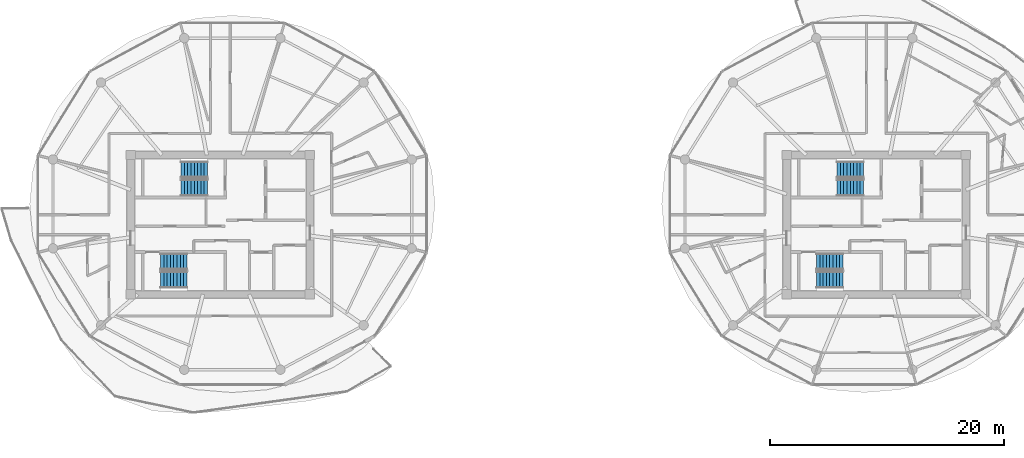
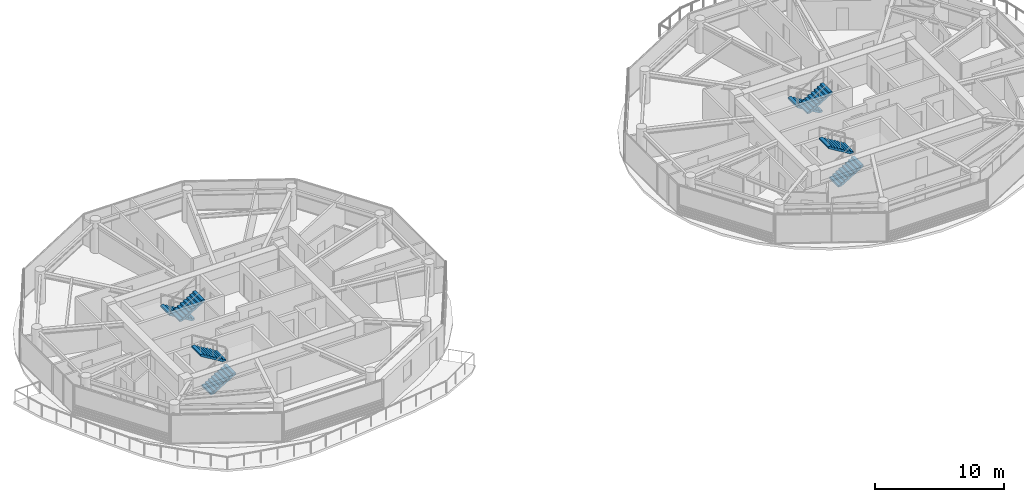
# One storey, part 17 of 23: 8 stair flights, 4 elements without a shape of their own.
"""IFC4 building model written with IfcOpenShell, lengths in metres."""

from ifc_helpers import new_model, si_unit, direction, frame, origin, place, context, subcontext, project, spatial, polyline, outline, extrude, material, type_object, element, aggregate, save


model = new_model("IFC4")

# Units and contexts
model_context = context("Model", 3, precision=1e-05, world=origin(), true_north=direction((0.0, 1.0)))
body_context = subcontext(model_context, "Body", "Model", "MODEL_VIEW")
ifc_project = project(units=[si_unit("LENGTHUNIT", "METRE"), si_unit("AREAUNIT", "SQUARE_METRE"), si_unit("VOLUMEUNIT", "CUBIC_METRE"), si_unit("PLANEANGLEUNIT", "RADIAN"), si_unit("MASSUNIT", "GRAM", prefix="KILO")], contexts=[model_context])

# Site, building, storey
site_placement = place(None, origin())
site = spatial("IfcSite", under=ifc_project, at=site_placement, CompositionType="ELEMENT")
building_placement = place(site_placement, origin())
building = spatial("IfcBuilding", under=site, at=building_placement, Name="Norrkilde Senior Care Towers", CompositionType="ELEMENT")
storey_placement = place(building_placement, frame((0.0, 0.0, 173.949951171875)))
storey = spatial("IfcBuildingStorey", under=building, at=storey_placement, Name="L54", CompositionType="ELEMENT", Elevation=173.949951171875)

# Stair, stair flights
ifc_material = material(Name="Concrete C45/55", Category="concrete")
stair_type = type_object("IfcStairType", Name="Core Protected Dogleg Stair Typical 3050", PredefinedType="HALF_TURN_STAIR", material=ifc_material)
stair_1_placement = place(storey_placement, origin())
stair_1 = element("IfcStair", 1, at=stair_1_placement, inside=storey, type_object=stair_type, Name="L54 Protected Core Stair W1", PredefinedType="HALF_TURN_STAIR")
stair_flight_type = type_object("IfcStairFlightType", Name="Core Protected Dogleg Stair Typical 3050 Flight", PredefinedType="STRAIGHT", material=ifc_material)
stair_flight_1_placement = place(storey_placement, frame((-29.10009765625, 4.699951171875, 0.0), z_axis=(0.0, 0.0, 1.0), x_axis=(-1.0, 0.0, 0.0)))
stair_flight_1 = element("IfcStairFlight", 2, at=stair_flight_1_placement, type_object=stair_flight_type, Name="ST-W1 flight 1", NumberOfRisers=9, NumberOfTreads=8, PredefinedType="STRAIGHT", RiserHeight=0.169444444, TreadLength=0.28, context=body_context, shape_type="SweptSolid", body=[
    extrude(outline(polyline([(0.0, 0.0), (0.0, 0.16943359375), (0.280029296875, 0.16943359375), (0.280029296875, 0.3388671875), (0.56005859375, 0.3388671875), (0.56005859375, 0.50830078125), (0.840087890625, 0.50830078125), (0.840087890625, 0.677734375), (1.1201171875, 0.677734375), (1.1201171875, 0.84716796875), (1.39990234375, 0.84716796875), (1.39990234375, 1.0166015625), (1.679931640625, 1.0166015625), (1.679931640625, 1.18603515625), (1.9599609375, 1.18603515625), (1.9599609375, 1.35546875), (2.239990234375, 1.35546875), (2.239990234375, 1.52490234375), (2.239990234375, 1.180419921875), (0.28955078125, 0.0), (0.0, 0.0)])), frame((0.0, 0.699951171875, 0.0), z_axis=(0.0, -1.0, 0.0), x_axis=(1.0, 0.0, 0.0)), (0.0, 0.0, 1.0), 1.39990234375),
])
stair_flight_2_placement = place(storey_placement, frame((-31.340087890625, 3.14990234375, 1.525146484375), z_axis=(0.0, 0.0, 1.0), x_axis=(1.0, 0.0, 0.0)))
stair_flight_2 = element("IfcStairFlight", 3, at=stair_flight_2_placement, type_object=stair_flight_type, Name="ST-W1 flight 2", NumberOfRisers=9, NumberOfTreads=8, PredefinedType="STRAIGHT", RiserHeight=0.169444444, TreadLength=0.28, context=body_context, shape_type="SweptSolid", body=[
    extrude(outline(polyline([(0.0, 0.0), (0.0, 0.16943359375), (0.280029296875, 0.16943359375), (0.280029296875, 0.3388671875), (0.56005859375, 0.3388671875), (0.56005859375, 0.50830078125), (0.840087890625, 0.50830078125), (0.840087890625, 0.677734375), (1.1201171875, 0.677734375), (1.1201171875, 0.84716796875), (1.39990234375, 0.84716796875), (1.39990234375, 1.0166015625), (1.679931640625, 1.0166015625), (1.679931640625, 1.18603515625), (1.9599609375, 1.18603515625), (1.9599609375, 1.35546875), (2.239990234375, 1.35546875), (2.239990234375, 1.52490234375), (2.239990234375, 1.180419921875), (0.28955078125, 0.0), (0.0, 0.0)])), frame((0.0, 0.699951171875, 0.0), z_axis=(0.0, -1.0, 0.0), x_axis=(1.0, 0.0, 0.0)), (0.0, 0.0, 1.0), 1.39990234375),
])
aggregate(stair_1, [stair_flight_1, stair_flight_2])

stair_2_placement = place(storey_placement, origin())
stair_2 = element("IfcStair", 4, at=stair_2_placement, inside=storey, type_object=stair_type, Name="L54 Protected Core Stair W2", PredefinedType="HALF_TURN_STAIR")
stair_flight_3_placement = place(storey_placement, frame((-33.10009765625, -4.699951171875, 0.0), z_axis=(0.0, 0.0, 1.0), x_axis=(1.0, 0.0, 0.0)))
stair_flight_3 = element("IfcStairFlight", 5, at=stair_flight_3_placement, type_object=stair_flight_type, Name="ST-W2 flight 1", NumberOfRisers=9, NumberOfTreads=8, PredefinedType="STRAIGHT", RiserHeight=0.169444444, TreadLength=0.28, context=body_context, shape_type="SweptSolid", body=[
    extrude(outline(polyline([(0.0, 0.0), (0.0, 0.16943359375), (0.280029296875, 0.16943359375), (0.280029296875, 0.3388671875), (0.56005859375, 0.3388671875), (0.56005859375, 0.50830078125), (0.840087890625, 0.50830078125), (0.840087890625, 0.677734375), (1.1201171875, 0.677734375), (1.1201171875, 0.84716796875), (1.39990234375, 0.84716796875), (1.39990234375, 1.0166015625), (1.679931640625, 1.0166015625), (1.679931640625, 1.18603515625), (1.9599609375, 1.18603515625), (1.9599609375, 1.35546875), (2.239990234375, 1.35546875), (2.239990234375, 1.52490234375), (2.239990234375, 1.180419921875), (0.28955078125, 0.0), (0.0, 0.0)])), frame((0.0, 0.699951171875, 0.0), z_axis=(0.0, -1.0, 0.0), x_axis=(1.0, 0.0, 0.0)), (0.0, 0.0, 1.0), 1.39990234375),
])
stair_flight_4_placement = place(storey_placement, frame((-30.860107421875, -3.14990234375, 1.525146484375), z_axis=(0.0, 0.0, 1.0), x_axis=(-1.0, 0.0, 0.0)))
stair_flight_4 = element("IfcStairFlight", 6, at=stair_flight_4_placement, type_object=stair_flight_type, Name="ST-W2 flight 2", NumberOfRisers=9, NumberOfTreads=8, PredefinedType="STRAIGHT", RiserHeight=0.169444444, TreadLength=0.28, context=body_context, shape_type="SweptSolid", body=[
    extrude(outline(polyline([(0.0, 0.0), (0.0, 0.16943359375), (0.280029296875, 0.16943359375), (0.280029296875, 0.3388671875), (0.56005859375, 0.3388671875), (0.56005859375, 0.50830078125), (0.840087890625, 0.50830078125), (0.840087890625, 0.677734375), (1.1201171875, 0.677734375), (1.1201171875, 0.84716796875), (1.39990234375, 0.84716796875), (1.39990234375, 1.0166015625), (1.679931640625, 1.0166015625), (1.679931640625, 1.18603515625), (1.9599609375, 1.18603515625), (1.9599609375, 1.35546875), (2.239990234375, 1.35546875), (2.239990234375, 1.52490234375), (2.239990234375, 1.180419921875), (0.28955078125, 0.0), (0.0, 0.0)])), frame((0.0, 0.699951171875, 0.0), z_axis=(0.0, -1.0, 0.0), x_axis=(1.0, 0.0, 0.0)), (0.0, 0.0, 1.0), 1.39990234375),
])
aggregate(stair_2, [stair_flight_3, stair_flight_4])

stair_3_placement = place(storey_placement, origin())
stair_3 = element("IfcStair", 7, at=stair_3_placement, inside=storey, type_object=stair_type, Name="L54 Protected Core Stair E1", PredefinedType="HALF_TURN_STAIR")
stair_flight_5_placement = place(storey_placement, frame((26.89990234375, 4.699951171875, 0.0), z_axis=(0.0, 0.0, 1.0), x_axis=(-1.0, 0.0, 0.0)))
stair_flight_5 = element("IfcStairFlight", 8, at=stair_flight_5_placement, type_object=stair_flight_type, Name="ST-E1 flight 1", NumberOfRisers=9, NumberOfTreads=8, PredefinedType="STRAIGHT", RiserHeight=0.169444444, TreadLength=0.28, context=body_context, shape_type="SweptSolid", body=[
    extrude(outline(polyline([(0.0, 0.0), (0.0, 0.16943359375), (0.280029296875, 0.16943359375), (0.280029296875, 0.3388671875), (0.56005859375, 0.3388671875), (0.56005859375, 0.50830078125), (0.840087890625, 0.50830078125), (0.840087890625, 0.677734375), (1.1201171875, 0.677734375), (1.1201171875, 0.84716796875), (1.39990234375, 0.84716796875), (1.39990234375, 1.0166015625), (1.679931640625, 1.0166015625), (1.679931640625, 1.18603515625), (1.9599609375, 1.18603515625), (1.9599609375, 1.35546875), (2.239990234375, 1.35546875), (2.239990234375, 1.52490234375), (2.239990234375, 1.180419921875), (0.28955078125, 0.0), (0.0, 0.0)])), frame((0.0, 0.699951171875, 0.0), z_axis=(0.0, -1.0, 0.0), x_axis=(1.0, 0.0, 0.0)), (0.0, 0.0, 1.0), 1.39990234375),
])
stair_flight_6_placement = place(storey_placement, frame((24.659912109375, 3.14990234375, 1.525146484375), z_axis=(0.0, 0.0, 1.0), x_axis=(1.0, 0.0, 0.0)))
stair_flight_6 = element("IfcStairFlight", 9, at=stair_flight_6_placement, type_object=stair_flight_type, Name="ST-E1 flight 2", NumberOfRisers=9, NumberOfTreads=8, PredefinedType="STRAIGHT", RiserHeight=0.169444444, TreadLength=0.28, context=body_context, shape_type="SweptSolid", body=[
    extrude(outline(polyline([(0.0, 0.0), (0.0, 0.16943359375), (0.280029296875, 0.16943359375), (0.280029296875, 0.3388671875), (0.56005859375, 0.3388671875), (0.56005859375, 0.50830078125), (0.840087890625, 0.50830078125), (0.840087890625, 0.677734375), (1.1201171875, 0.677734375), (1.1201171875, 0.84716796875), (1.39990234375, 0.84716796875), (1.39990234375, 1.0166015625), (1.679931640625, 1.0166015625), (1.679931640625, 1.18603515625), (1.9599609375, 1.18603515625), (1.9599609375, 1.35546875), (2.239990234375, 1.35546875), (2.239990234375, 1.52490234375), (2.239990234375, 1.180419921875), (0.28955078125, 0.0), (0.0, 0.0)])), frame((0.0, 0.699951171875, 0.0), z_axis=(0.0, -1.0, 0.0), x_axis=(1.0, 0.0, 0.0)), (0.0, 0.0, 1.0), 1.39990234375),
])
aggregate(stair_3, [stair_flight_5, stair_flight_6])

stair_4_placement = place(storey_placement, origin())
stair_4 = element("IfcStair", 10, at=stair_4_placement, inside=storey, type_object=stair_type, Name="L54 Protected Core Stair E2", PredefinedType="HALF_TURN_STAIR")
stair_flight_7_placement = place(storey_placement, frame((22.89990234375, -4.699951171875, 0.0), z_axis=(0.0, 0.0, 1.0), x_axis=(1.0, 0.0, 0.0)))
stair_flight_7 = element("IfcStairFlight", 11, at=stair_flight_7_placement, type_object=stair_flight_type, Name="ST-E2 flight 1", NumberOfRisers=9, NumberOfTreads=8, PredefinedType="STRAIGHT", RiserHeight=0.169444444, TreadLength=0.28, context=body_context, shape_type="SweptSolid", body=[
    extrude(outline(polyline([(0.0, 0.0), (0.0, 0.16943359375), (0.280029296875, 0.16943359375), (0.280029296875, 0.3388671875), (0.56005859375, 0.3388671875), (0.56005859375, 0.50830078125), (0.840087890625, 0.50830078125), (0.840087890625, 0.677734375), (1.1201171875, 0.677734375), (1.1201171875, 0.84716796875), (1.39990234375, 0.84716796875), (1.39990234375, 1.0166015625), (1.679931640625, 1.0166015625), (1.679931640625, 1.18603515625), (1.9599609375, 1.18603515625), (1.9599609375, 1.35546875), (2.239990234375, 1.35546875), (2.239990234375, 1.52490234375), (2.239990234375, 1.180419921875), (0.28955078125, 0.0), (0.0, 0.0)])), frame((0.0, 0.699951171875, 0.0), z_axis=(0.0, -1.0, 0.0), x_axis=(1.0, 0.0, 0.0)), (0.0, 0.0, 1.0), 1.39990234375),
])
stair_flight_8_placement = place(storey_placement, frame((25.139892578125, -3.14990234375, 1.525146484375), z_axis=(0.0, 0.0, 1.0), x_axis=(-1.0, 0.0, 0.0)))
stair_flight_8 = element("IfcStairFlight", 12, at=stair_flight_8_placement, type_object=stair_flight_type, Name="ST-E2 flight 2", NumberOfRisers=9, NumberOfTreads=8, PredefinedType="STRAIGHT", RiserHeight=0.169444444, TreadLength=0.28, context=body_context, shape_type="SweptSolid", body=[
    extrude(outline(polyline([(0.0, 0.0), (0.0, 0.16943359375), (0.280029296875, 0.16943359375), (0.280029296875, 0.3388671875), (0.56005859375, 0.3388671875), (0.56005859375, 0.50830078125), (0.840087890625, 0.50830078125), (0.840087890625, 0.677734375), (1.1201171875, 0.677734375), (1.1201171875, 0.84716796875), (1.39990234375, 0.84716796875), (1.39990234375, 1.0166015625), (1.679931640625, 1.0166015625), (1.679931640625, 1.18603515625), (1.9599609375, 1.18603515625), (1.9599609375, 1.35546875), (2.239990234375, 1.35546875), (2.239990234375, 1.52490234375), (2.239990234375, 1.180419921875), (0.28955078125, 0.0), (0.0, 0.0)])), frame((0.0, 0.699951171875, 0.0), z_axis=(0.0, -1.0, 0.0), x_axis=(1.0, 0.0, 0.0)), (0.0, 0.0, 1.0), 1.39990234375),
])
aggregate(stair_4, [stair_flight_7, stair_flight_8])

save(model, "model.ifc")
